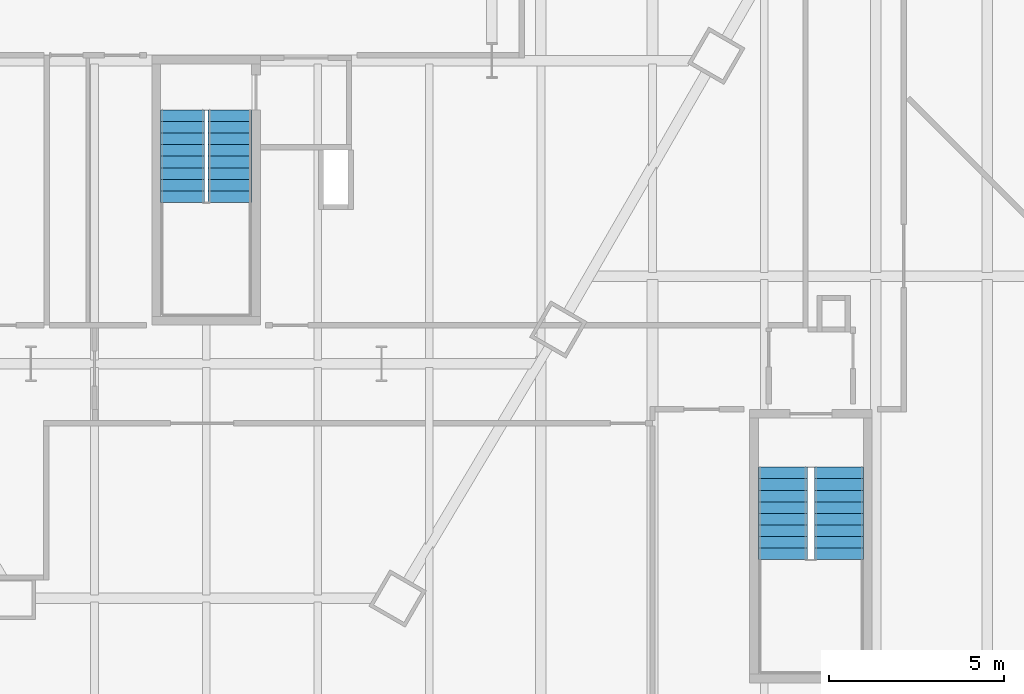
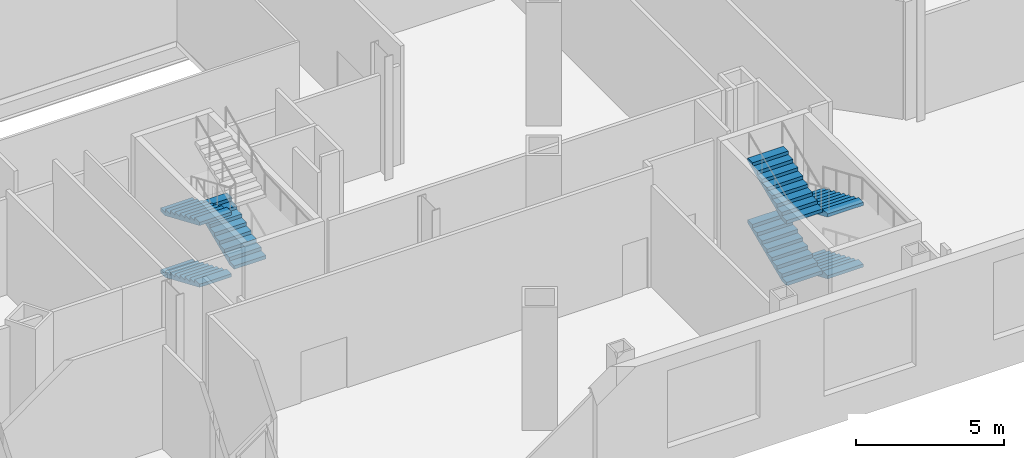
# One storey, part 17 of 21: 7 stair flights, 2 elements without a shape of their own.
"""IFC4 building model written with IfcOpenShell, lengths in metres."""

from ifc_helpers import new_model, si_unit, direction, frame, origin, place, context, subcontext, project, spatial, polygons, material, type_object, element, aggregate, save


model = new_model("IFC4")

# Units and contexts
model_context = context("Model", 3, precision=1e-05, world=origin(), true_north=direction((0.0, 1.0)))
body_context = subcontext(model_context, "Body", "Model", "MODEL_VIEW")
ifc_project = project(units=[si_unit("LENGTHUNIT", "METRE"), si_unit("AREAUNIT", "SQUARE_METRE"), si_unit("VOLUMEUNIT", "CUBIC_METRE"), si_unit("PLANEANGLEUNIT", "RADIAN"), si_unit("MASSUNIT", "GRAM", prefix="KILO")], contexts=[model_context])

# Site, building, storey
site_placement = place(None, origin())
site = spatial("IfcSite", under=ifc_project, at=site_placement, CompositionType="ELEMENT")
building_placement = place(site_placement, origin())
building = spatial("IfcBuilding", under=site, at=building_placement, Name="Njiva Tower", CompositionType="ELEMENT")
storey_placement = place(building_placement, frame((0.0, 0.0, 8.4)))
storey = spatial("IfcBuildingStorey", under=building, at=storey_placement, Name="L01", CompositionType="ELEMENT", Elevation=8.4)

# Stair, stair flights
ifc_material = material(Name="Concrete C40/50", Category="concrete")
stair_type_1 = type_object("IfcStairType", Name="ST1 Exit stair 1250", PredefinedType="HALF_TURN_STAIR", material=ifc_material)
stair_1_placement = place(storey_placement, origin())
stair_1 = element("IfcStair", 1, at=stair_1_placement, inside=storey, type_object=stair_type_1, Name="Stair C", PredefinedType="DOUBLE_RETURN_STAIR")
stair_flight_type_1 = type_object("IfcStairFlightType", Name="FL1 Stair flight 1250", PredefinedType="STRAIGHT", material=ifc_material)
stair_flight_1_placement = place(storey_placement, frame((-0.675, -15.16, 0.0), z_axis=(0.0, 0.0, 1.0), x_axis=(0.0, -1.0, 0.0)))
stair_flight_1 = element("IfcStairFlight", 2, at=stair_flight_1_placement, type_object=stair_flight_type_1, Name="ST-C flight 1", NumberOfRisers=9, NumberOfTreads=8, PredefinedType="STRAIGHT", RiserHeight=0.141666667, TreadLength=0.33, context=body_context, shape_type="Tessellation", body=[
    polygons([(0.0, 0.625, 0.0), (0.0, 0.3125, 0.0), (0.0, 0.0, 0.0), (0.0, -0.3125, 0.0), (0.0, -0.625, 0.0), (0.0, 0.625, 0.1417), (0.0, 0.3125, 0.1417), (0.0, 0.0, 0.1417), (0.0, -0.3125, 0.1417), (0.0, -0.625, 0.1417), (0.33, 0.625, 0.1417), (0.33, 0.3125, 0.1417), (0.33, 0.0, 0.1417), (0.33, -0.3125, 0.1417), (0.33, -0.625, 0.1417), (0.33, 0.625, 0.2833), (0.33, 0.3125, 0.2833), (0.33, 0.0, 0.2833), (0.33, -0.3125, 0.2833), (0.33, -0.625, 0.2833), (0.66, 0.625, 0.2833), (0.66, 0.3125, 0.2833), (0.66, 0.0, 0.2833), (0.66, -0.3125, 0.2833), (0.66, -0.625, 0.2833), (0.66, 0.625, 0.425), (0.66, 0.3125, 0.425), (0.66, 0.0, 0.425), (0.66, -0.3125, 0.425), (0.66, -0.625, 0.425), (0.99, 0.625, 0.425), (0.99, 0.3125, 0.425), (0.99, 0.0, 0.425), (0.99, -0.3125, 0.425), (0.99, -0.625, 0.425), (0.99, 0.625, 0.5667), (0.99, 0.3125, 0.5667), (0.99, 0.0, 0.5667), (0.99, -0.3125, 0.5667), (0.99, -0.625, 0.5667), (1.32, 0.625, 0.5667), (1.32, 0.3125, 0.5667), (1.32, 0.0, 0.5667), (1.32, -0.3125, 0.5667), (1.32, -0.625, 0.5667), (1.32, 0.625, 0.7083), (1.32, 0.3125, 0.7083), (1.32, 0.0, 0.7083), (1.32, -0.3125, 0.7083), (1.32, -0.625, 0.7083), (1.65, 0.625, 0.7083), (1.65, 0.3125, 0.7083), (1.65, 0.0, 0.7083), (1.65, -0.3125, 0.7083), (1.65, -0.625, 0.7083), (1.65, 0.625, 0.85), (1.65, 0.3125, 0.85), (1.65, 0.0, 0.85), (1.65, -0.3125, 0.85), (1.65, -0.625, 0.85), (1.98, 0.625, 0.85), (1.98, 0.3125, 0.85), (1.98, 0.0, 0.85), (1.98, -0.3125, 0.85), (1.98, -0.625, 0.85), (1.98, 0.625, 0.9917), (1.98, 0.3125, 0.9917), (1.98, 0.0, 0.9917), (1.98, -0.3125, 0.9917), (1.98, -0.625, 0.9917), (2.31, 0.625, 0.9917), (2.31, 0.3125, 0.9917), (2.31, 0.0, 0.9917), (2.31, -0.3125, 0.9917), (2.31, -0.625, 0.9917), (2.31, 0.625, 1.1333), (2.31, 0.3125, 1.1333), (2.31, 0.0, 1.1333), (2.31, -0.3125, 1.1333), (2.31, -0.625, 1.1333), (2.64, 0.625, 1.1333), (2.64, 0.3125, 1.1333), (2.64, 0.0, 1.1333), (2.64, -0.3125, 1.1333), (2.64, -0.625, 1.1333), (2.64, 0.625, 1.0027), (2.64, 0.3125, 1.0027), (2.64, 0.0, 1.0027), (2.64, -0.3125, 1.0027), (2.64, -0.625, 1.0027), (0.3042, 0.625, 0.0), (0.3042, 0.3125, 0.0), (0.3042, 0.0, 0.0), (0.3042, -0.3125, 0.0), (0.3042, -0.625, 0.0)], [[[1, 6, 11, 16, 21, 26, 31, 36, 41, 46, 51, 56, 61, 66, 71, 76, 81, 86, 91]], [[95, 90, 85, 80, 75, 70, 65, 60, 55, 50, 45, 40, 35, 30, 25, 20, 15, 10, 5]], [[6, 1, 2, 7]], [[7, 2, 3, 8]], [[8, 3, 4, 9]], [[9, 4, 5, 10]], [[11, 6, 7, 12]], [[12, 7, 8, 13]], [[13, 8, 9, 14]], [[14, 9, 10, 15]], [[16, 11, 12, 17]], [[17, 12, 13, 18]], [[18, 13, 14, 19]], [[19, 14, 15, 20]], [[21, 16, 17, 22]], [[22, 17, 18, 23]], [[23, 18, 19, 24]], [[24, 19, 20, 25]], [[26, 21, 22, 27]], [[27, 22, 23, 28]], [[28, 23, 24, 29]], [[29, 24, 25, 30]], [[31, 26, 27, 32]], [[32, 27, 28, 33]], [[33, 28, 29, 34]], [[34, 29, 30, 35]], [[36, 31, 32, 37]], [[37, 32, 33, 38]], [[38, 33, 34, 39]], [[39, 34, 35, 40]], [[41, 36, 37, 42]], [[42, 37, 38, 43]], [[43, 38, 39, 44]], [[44, 39, 40, 45]], [[46, 41, 42, 47]], [[47, 42, 43, 48]], [[48, 43, 44, 49]], [[49, 44, 45, 50]], [[51, 46, 47, 52]], [[52, 47, 48, 53]], [[53, 48, 49, 54]], [[54, 49, 50, 55]], [[56, 51, 52, 57]], [[57, 52, 53, 58]], [[58, 53, 54, 59]], [[59, 54, 55, 60]], [[61, 56, 57, 62]], [[62, 57, 58, 63]], [[63, 58, 59, 64]], [[64, 59, 60, 65]], [[66, 61, 62, 67]], [[67, 62, 63, 68]], [[68, 63, 64, 69]], [[69, 64, 65, 70]], [[71, 66, 67, 72]], [[72, 67, 68, 73]], [[73, 68, 69, 74]], [[74, 69, 70, 75]], [[76, 71, 72, 77]], [[77, 72, 73, 78]], [[78, 73, 74, 79]], [[79, 74, 75, 80]], [[81, 76, 77, 82]], [[82, 77, 78, 83]], [[83, 78, 79, 84]], [[84, 79, 80, 85]], [[86, 81, 82, 87]], [[87, 82, 83, 88]], [[88, 83, 84, 89]], [[89, 84, 85, 90]], [[91, 86, 87, 92]], [[92, 87, 88, 93]], [[93, 88, 89, 94]], [[94, 89, 90, 95]], [[1, 91, 92, 2]], [[2, 92, 93, 3]], [[3, 93, 94, 4]], [[4, 94, 95, 5]]], closed=True),
])
stair_flight_2_placement = place(storey_placement, frame((0.675, -17.8, 1.275), z_axis=(0.0, 0.0, 1.0), x_axis=(0.0, 1.0, 0.0)))
stair_flight_2 = element("IfcStairFlight", 3, at=stair_flight_2_placement, type_object=stair_flight_type_1, Name="ST-C flight 2", NumberOfRisers=9, NumberOfTreads=8, PredefinedType="STRAIGHT", RiserHeight=0.141666667, TreadLength=0.33, context=body_context, shape_type="Tessellation", body=[
    polygons([(0.0, 0.625, 0.0), (0.0, 0.3125, 0.0), (0.0, 0.0, 0.0), (0.0, -0.3125, 0.0), (0.0, -0.625, 0.0), (0.0, 0.625, 0.1417), (0.0, 0.3125, 0.1417), (0.0, 0.0, 0.1417), (0.0, -0.3125, 0.1417), (0.0, -0.625, 0.1417), (0.33, 0.625, 0.1417), (0.33, 0.3125, 0.1417), (0.33, 0.0, 0.1417), (0.33, -0.3125, 0.1417), (0.33, -0.625, 0.1417), (0.33, 0.625, 0.2833), (0.33, 0.3125, 0.2833), (0.33, 0.0, 0.2833), (0.33, -0.3125, 0.2833), (0.33, -0.625, 0.2833), (0.66, 0.625, 0.2833), (0.66, 0.3125, 0.2833), (0.66, 0.0, 0.2833), (0.66, -0.3125, 0.2833), (0.66, -0.625, 0.2833), (0.66, 0.625, 0.425), (0.66, 0.3125, 0.425), (0.66, 0.0, 0.425), (0.66, -0.3125, 0.425), (0.66, -0.625, 0.425), (0.99, 0.625, 0.425), (0.99, 0.3125, 0.425), (0.99, 0.0, 0.425), (0.99, -0.3125, 0.425), (0.99, -0.625, 0.425), (0.99, 0.625, 0.5667), (0.99, 0.3125, 0.5667), (0.99, 0.0, 0.5667), (0.99, -0.3125, 0.5667), (0.99, -0.625, 0.5667), (1.32, 0.625, 0.5667), (1.32, 0.3125, 0.5667), (1.32, 0.0, 0.5667), (1.32, -0.3125, 0.5667), (1.32, -0.625, 0.5667), (1.32, 0.625, 0.7083), (1.32, 0.3125, 0.7083), (1.32, 0.0, 0.7083), (1.32, -0.3125, 0.7083), (1.32, -0.625, 0.7083), (1.65, 0.625, 0.7083), (1.65, 0.3125, 0.7083), (1.65, 0.0, 0.7083), (1.65, -0.3125, 0.7083), (1.65, -0.625, 0.7083), (1.65, 0.625, 0.85), (1.65, 0.3125, 0.85), (1.65, 0.0, 0.85), (1.65, -0.3125, 0.85), (1.65, -0.625, 0.85), (1.98, 0.625, 0.85), (1.98, 0.3125, 0.85), (1.98, 0.0, 0.85), (1.98, -0.3125, 0.85), (1.98, -0.625, 0.85), (1.98, 0.625, 0.9917), (1.98, 0.3125, 0.9917), (1.98, 0.0, 0.9917), (1.98, -0.3125, 0.9917), (1.98, -0.625, 0.9917), (2.31, 0.625, 0.9917), (2.31, 0.3125, 0.9917), (2.31, 0.0, 0.9917), (2.31, -0.3125, 0.9917), (2.31, -0.625, 0.9917), (2.31, 0.625, 1.1333), (2.31, 0.3125, 1.1333), (2.31, 0.0, 1.1333), (2.31, -0.3125, 1.1333), (2.31, -0.625, 1.1333), (2.64, 0.625, 1.1333), (2.64, 0.3125, 1.1333), (2.64, 0.0, 1.1333), (2.64, -0.3125, 1.1333), (2.64, -0.625, 1.1333), (2.64, 0.625, 1.0027), (2.64, 0.3125, 1.0027), (2.64, 0.0, 1.0027), (2.64, -0.3125, 1.0027), (2.64, -0.625, 1.0027), (0.3042, 0.625, 0.0), (0.3042, 0.3125, 0.0), (0.3042, 0.0, 0.0), (0.3042, -0.3125, 0.0), (0.3042, -0.625, 0.0)], [[[1, 6, 11, 16, 21, 26, 31, 36, 41, 46, 51, 56, 61, 66, 71, 76, 81, 86, 91]], [[95, 90, 85, 80, 75, 70, 65, 60, 55, 50, 45, 40, 35, 30, 25, 20, 15, 10, 5]], [[6, 1, 2, 7]], [[7, 2, 3, 8]], [[8, 3, 4, 9]], [[9, 4, 5, 10]], [[11, 6, 7, 12]], [[12, 7, 8, 13]], [[13, 8, 9, 14]], [[14, 9, 10, 15]], [[16, 11, 12, 17]], [[17, 12, 13, 18]], [[18, 13, 14, 19]], [[19, 14, 15, 20]], [[21, 16, 17, 22]], [[22, 17, 18, 23]], [[23, 18, 19, 24]], [[24, 19, 20, 25]], [[26, 21, 22, 27]], [[27, 22, 23, 28]], [[28, 23, 24, 29]], [[29, 24, 25, 30]], [[31, 26, 27, 32]], [[32, 27, 28, 33]], [[33, 28, 29, 34]], [[34, 29, 30, 35]], [[36, 31, 32, 37]], [[37, 32, 33, 38]], [[38, 33, 34, 39]], [[39, 34, 35, 40]], [[41, 36, 37, 42]], [[42, 37, 38, 43]], [[43, 38, 39, 44]], [[44, 39, 40, 45]], [[46, 41, 42, 47]], [[47, 42, 43, 48]], [[48, 43, 44, 49]], [[49, 44, 45, 50]], [[51, 46, 47, 52]], [[52, 47, 48, 53]], [[53, 48, 49, 54]], [[54, 49, 50, 55]], [[56, 51, 52, 57]], [[57, 52, 53, 58]], [[58, 53, 54, 59]], [[59, 54, 55, 60]], [[61, 56, 57, 62]], [[62, 57, 58, 63]], [[63, 58, 59, 64]], [[64, 59, 60, 65]], [[66, 61, 62, 67]], [[67, 62, 63, 68]], [[68, 63, 64, 69]], [[69, 64, 65, 70]], [[71, 66, 67, 72]], [[72, 67, 68, 73]], [[73, 68, 69, 74]], [[74, 69, 70, 75]], [[76, 71, 72, 77]], [[77, 72, 73, 78]], [[78, 73, 74, 79]], [[79, 74, 75, 80]], [[81, 76, 77, 82]], [[82, 77, 78, 83]], [[83, 78, 79, 84]], [[84, 79, 80, 85]], [[86, 81, 82, 87]], [[87, 82, 83, 88]], [[88, 83, 84, 89]], [[89, 84, 85, 90]], [[91, 86, 87, 92]], [[92, 87, 88, 93]], [[93, 88, 89, 94]], [[94, 89, 90, 95]], [[1, 91, 92, 2]], [[2, 92, 93, 3]], [[3, 93, 94, 4]], [[4, 94, 95, 5]]], closed=True),
])
stair_flight_3_placement = place(storey_placement, frame((-0.675, -15.16, 2.55), z_axis=(0.0, 0.0, 1.0), x_axis=(0.0, -1.0, 0.0)))
stair_flight_3 = element("IfcStairFlight", 4, at=stair_flight_3_placement, type_object=stair_flight_type_1, Name="ST-C flight 3", NumberOfRisers=9, NumberOfTreads=8, PredefinedType="STRAIGHT", RiserHeight=0.141666667, TreadLength=0.33, context=body_context, shape_type="Tessellation", body=[
    polygons([(0.0, 0.625, 0.0), (0.0, 0.3125, 0.0), (0.0, 0.0, 0.0), (0.0, -0.3125, 0.0), (0.0, -0.625, 0.0), (0.0, 0.625, 0.1417), (0.0, 0.3125, 0.1417), (0.0, 0.0, 0.1417), (0.0, -0.3125, 0.1417), (0.0, -0.625, 0.1417), (0.33, 0.625, 0.1417), (0.33, 0.3125, 0.1417), (0.33, 0.0, 0.1417), (0.33, -0.3125, 0.1417), (0.33, -0.625, 0.1417), (0.33, 0.625, 0.2833), (0.33, 0.3125, 0.2833), (0.33, 0.0, 0.2833), (0.33, -0.3125, 0.2833), (0.33, -0.625, 0.2833), (0.66, 0.625, 0.2833), (0.66, 0.3125, 0.2833), (0.66, 0.0, 0.2833), (0.66, -0.3125, 0.2833), (0.66, -0.625, 0.2833), (0.66, 0.625, 0.425), (0.66, 0.3125, 0.425), (0.66, 0.0, 0.425), (0.66, -0.3125, 0.425), (0.66, -0.625, 0.425), (0.99, 0.625, 0.425), (0.99, 0.3125, 0.425), (0.99, 0.0, 0.425), (0.99, -0.3125, 0.425), (0.99, -0.625, 0.425), (0.99, 0.625, 0.5667), (0.99, 0.3125, 0.5667), (0.99, 0.0, 0.5667), (0.99, -0.3125, 0.5667), (0.99, -0.625, 0.5667), (1.32, 0.625, 0.5667), (1.32, 0.3125, 0.5667), (1.32, 0.0, 0.5667), (1.32, -0.3125, 0.5667), (1.32, -0.625, 0.5667), (1.32, 0.625, 0.7083), (1.32, 0.3125, 0.7083), (1.32, 0.0, 0.7083), (1.32, -0.3125, 0.7083), (1.32, -0.625, 0.7083), (1.65, 0.625, 0.7083), (1.65, 0.3125, 0.7083), (1.65, 0.0, 0.7083), (1.65, -0.3125, 0.7083), (1.65, -0.625, 0.7083), (1.65, 0.625, 0.85), (1.65, 0.3125, 0.85), (1.65, 0.0, 0.85), (1.65, -0.3125, 0.85), (1.65, -0.625, 0.85), (1.98, 0.625, 0.85), (1.98, 0.3125, 0.85), (1.98, 0.0, 0.85), (1.98, -0.3125, 0.85), (1.98, -0.625, 0.85), (1.98, 0.625, 0.9917), (1.98, 0.3125, 0.9917), (1.98, 0.0, 0.9917), (1.98, -0.3125, 0.9917), (1.98, -0.625, 0.9917), (2.31, 0.625, 0.9917), (2.31, 0.3125, 0.9917), (2.31, 0.0, 0.9917), (2.31, -0.3125, 0.9917), (2.31, -0.625, 0.9917), (2.31, 0.625, 1.1333), (2.31, 0.3125, 1.1333), (2.31, 0.0, 1.1333), (2.31, -0.3125, 1.1333), (2.31, -0.625, 1.1333), (2.64, 0.625, 1.1333), (2.64, 0.3125, 1.1333), (2.64, 0.0, 1.1333), (2.64, -0.3125, 1.1333), (2.64, -0.625, 1.1333), (2.64, 0.625, 1.0027), (2.64, 0.3125, 1.0027), (2.64, 0.0, 1.0027), (2.64, -0.3125, 1.0027), (2.64, -0.625, 1.0027), (0.3042, 0.625, 0.0), (0.3042, 0.3125, 0.0), (0.3042, 0.0, 0.0), (0.3042, -0.3125, 0.0), (0.3042, -0.625, 0.0)], [[[1, 6, 11, 16, 21, 26, 31, 36, 41, 46, 51, 56, 61, 66, 71, 76, 81, 86, 91]], [[95, 90, 85, 80, 75, 70, 65, 60, 55, 50, 45, 40, 35, 30, 25, 20, 15, 10, 5]], [[6, 1, 2, 7]], [[7, 2, 3, 8]], [[8, 3, 4, 9]], [[9, 4, 5, 10]], [[11, 6, 7, 12]], [[12, 7, 8, 13]], [[13, 8, 9, 14]], [[14, 9, 10, 15]], [[16, 11, 12, 17]], [[17, 12, 13, 18]], [[18, 13, 14, 19]], [[19, 14, 15, 20]], [[21, 16, 17, 22]], [[22, 17, 18, 23]], [[23, 18, 19, 24]], [[24, 19, 20, 25]], [[26, 21, 22, 27]], [[27, 22, 23, 28]], [[28, 23, 24, 29]], [[29, 24, 25, 30]], [[31, 26, 27, 32]], [[32, 27, 28, 33]], [[33, 28, 29, 34]], [[34, 29, 30, 35]], [[36, 31, 32, 37]], [[37, 32, 33, 38]], [[38, 33, 34, 39]], [[39, 34, 35, 40]], [[41, 36, 37, 42]], [[42, 37, 38, 43]], [[43, 38, 39, 44]], [[44, 39, 40, 45]], [[46, 41, 42, 47]], [[47, 42, 43, 48]], [[48, 43, 44, 49]], [[49, 44, 45, 50]], [[51, 46, 47, 52]], [[52, 47, 48, 53]], [[53, 48, 49, 54]], [[54, 49, 50, 55]], [[56, 51, 52, 57]], [[57, 52, 53, 58]], [[58, 53, 54, 59]], [[59, 54, 55, 60]], [[61, 56, 57, 62]], [[62, 57, 58, 63]], [[63, 58, 59, 64]], [[64, 59, 60, 65]], [[66, 61, 62, 67]], [[67, 62, 63, 68]], [[68, 63, 64, 69]], [[69, 64, 65, 70]], [[71, 66, 67, 72]], [[72, 67, 68, 73]], [[73, 68, 69, 74]], [[74, 69, 70, 75]], [[76, 71, 72, 77]], [[77, 72, 73, 78]], [[78, 73, 74, 79]], [[79, 74, 75, 80]], [[81, 76, 77, 82]], [[82, 77, 78, 83]], [[83, 78, 79, 84]], [[84, 79, 80, 85]], [[86, 81, 82, 87]], [[87, 82, 83, 88]], [[88, 83, 84, 89]], [[89, 84, 85, 90]], [[91, 86, 87, 92]], [[92, 87, 88, 93]], [[93, 88, 89, 94]], [[94, 89, 90, 95]], [[1, 91, 92, 2]], [[2, 92, 93, 3]], [[3, 93, 94, 4]], [[4, 94, 95, 5]]], closed=True),
])
aggregate(stair_1, [stair_flight_1, stair_flight_2, stair_flight_3])

stair_type_2 = type_object("IfcStairType", Name="ST2 Exit stair 1400", PredefinedType="HALF_TURN_STAIR", material=ifc_material)
stair_2_placement = place(storey_placement, origin())
stair_2 = element("IfcStair", 5, at=stair_2_placement, inside=storey, type_object=stair_type_2, Name="Stair E", PredefinedType="DOUBLE_RETURN_STAIR")
stair_flight_type_2 = type_object("IfcStairFlightType", Name="FL2 Stair flight 1400", PredefinedType="STRAIGHT", material=ifc_material)
stair_flight_4_placement = place(storey_placement, frame((18.05, -25.35, 0.0), z_axis=(0.0, 0.0, 1.0), x_axis=(0.0, -1.0, 0.0)))
stair_flight_4 = element("IfcStairFlight", 6, at=stair_flight_4_placement, type_object=stair_flight_type_2, Name="ST-E flight 1", NumberOfRisers=9, NumberOfTreads=8, PredefinedType="STRAIGHT", RiserHeight=0.141666667, TreadLength=0.33, context=body_context, shape_type="Tessellation", body=[
    polygons([(0.0, 0.7, 0.0), (0.0, 0.35, 0.0), (0.0, 0.0, 0.0), (0.0, -0.35, 0.0), (0.0, -0.7, 0.0), (0.0, 0.7, 0.1417), (0.0, 0.35, 0.1417), (0.0, 0.0, 0.1417), (0.0, -0.35, 0.1417), (0.0, -0.7, 0.1417), (0.33, 0.7, 0.1417), (0.33, 0.35, 0.1417), (0.33, 0.0, 0.1417), (0.33, -0.35, 0.1417), (0.33, -0.7, 0.1417), (0.33, 0.7, 0.2833), (0.33, 0.35, 0.2833), (0.33, 0.0, 0.2833), (0.33, -0.35, 0.2833), (0.33, -0.7, 0.2833), (0.66, 0.7, 0.2833), (0.66, 0.35, 0.2833), (0.66, 0.0, 0.2833), (0.66, -0.35, 0.2833), (0.66, -0.7, 0.2833), (0.66, 0.7, 0.425), (0.66, 0.35, 0.425), (0.66, 0.0, 0.425), (0.66, -0.35, 0.425), (0.66, -0.7, 0.425), (0.99, 0.7, 0.425), (0.99, 0.35, 0.425), (0.99, 0.0, 0.425), (0.99, -0.35, 0.425), (0.99, -0.7, 0.425), (0.99, 0.7, 0.5667), (0.99, 0.35, 0.5667), (0.99, 0.0, 0.5667), (0.99, -0.35, 0.5667), (0.99, -0.7, 0.5667), (1.32, 0.7, 0.5667), (1.32, 0.35, 0.5667), (1.32, 0.0, 0.5667), (1.32, -0.35, 0.5667), (1.32, -0.7, 0.5667), (1.32, 0.7, 0.7083), (1.32, 0.35, 0.7083), (1.32, 0.0, 0.7083), (1.32, -0.35, 0.7083), (1.32, -0.7, 0.7083), (1.65, 0.7, 0.7083), (1.65, 0.35, 0.7083), (1.65, 0.0, 0.7083), (1.65, -0.35, 0.7083), (1.65, -0.7, 0.7083), (1.65, 0.7, 0.85), (1.65, 0.35, 0.85), (1.65, 0.0, 0.85), (1.65, -0.35, 0.85), (1.65, -0.7, 0.85), (1.98, 0.7, 0.85), (1.98, 0.35, 0.85), (1.98, 0.0, 0.85), (1.98, -0.35, 0.85), (1.98, -0.7, 0.85), (1.98, 0.7, 0.9917), (1.98, 0.35, 0.9917), (1.98, 0.0, 0.9917), (1.98, -0.35, 0.9917), (1.98, -0.7, 0.9917), (2.31, 0.7, 0.9917), (2.31, 0.35, 0.9917), (2.31, 0.0, 0.9917), (2.31, -0.35, 0.9917), (2.31, -0.7, 0.9917), (2.31, 0.7, 1.1333), (2.31, 0.35, 1.1333), (2.31, 0.0, 1.1333), (2.31, -0.35, 1.1333), (2.31, -0.7, 1.1333), (2.64, 0.7, 1.1333), (2.64, 0.35, 1.1333), (2.64, 0.0, 1.1333), (2.64, -0.35, 1.1333), (2.64, -0.7, 1.1333), (2.64, 0.7, 1.0027), (2.64, 0.35, 1.0027), (2.64, 0.0, 1.0027), (2.64, -0.35, 1.0027), (2.64, -0.7, 1.0027), (0.3042, 0.7, 0.0), (0.3042, 0.35, 0.0), (0.3042, 0.0, 0.0), (0.3042, -0.35, 0.0), (0.3042, -0.7, 0.0)], [[[1, 6, 11, 16, 21, 26, 31, 36, 41, 46, 51, 56, 61, 66, 71, 76, 81, 86, 91]], [[95, 90, 85, 80, 75, 70, 65, 60, 55, 50, 45, 40, 35, 30, 25, 20, 15, 10, 5]], [[6, 1, 2, 7]], [[7, 2, 3, 8]], [[8, 3, 4, 9]], [[9, 4, 5, 10]], [[11, 6, 7, 12]], [[12, 7, 8, 13]], [[13, 8, 9, 14]], [[14, 9, 10, 15]], [[16, 11, 12, 17]], [[17, 12, 13, 18]], [[18, 13, 14, 19]], [[19, 14, 15, 20]], [[21, 16, 17, 22]], [[22, 17, 18, 23]], [[23, 18, 19, 24]], [[24, 19, 20, 25]], [[26, 21, 22, 27]], [[27, 22, 23, 28]], [[28, 23, 24, 29]], [[29, 24, 25, 30]], [[31, 26, 27, 32]], [[32, 27, 28, 33]], [[33, 28, 29, 34]], [[34, 29, 30, 35]], [[36, 31, 32, 37]], [[37, 32, 33, 38]], [[38, 33, 34, 39]], [[39, 34, 35, 40]], [[41, 36, 37, 42]], [[42, 37, 38, 43]], [[43, 38, 39, 44]], [[44, 39, 40, 45]], [[46, 41, 42, 47]], [[47, 42, 43, 48]], [[48, 43, 44, 49]], [[49, 44, 45, 50]], [[51, 46, 47, 52]], [[52, 47, 48, 53]], [[53, 48, 49, 54]], [[54, 49, 50, 55]], [[56, 51, 52, 57]], [[57, 52, 53, 58]], [[58, 53, 54, 59]], [[59, 54, 55, 60]], [[61, 56, 57, 62]], [[62, 57, 58, 63]], [[63, 58, 59, 64]], [[64, 59, 60, 65]], [[66, 61, 62, 67]], [[67, 62, 63, 68]], [[68, 63, 64, 69]], [[69, 64, 65, 70]], [[71, 66, 67, 72]], [[72, 67, 68, 73]], [[73, 68, 69, 74]], [[74, 69, 70, 75]], [[76, 71, 72, 77]], [[77, 72, 73, 78]], [[78, 73, 74, 79]], [[79, 74, 75, 80]], [[81, 76, 77, 82]], [[82, 77, 78, 83]], [[83, 78, 79, 84]], [[84, 79, 80, 85]], [[86, 81, 82, 87]], [[87, 82, 83, 88]], [[88, 83, 84, 89]], [[89, 84, 85, 90]], [[91, 86, 87, 92]], [[92, 87, 88, 93]], [[93, 88, 89, 94]], [[94, 89, 90, 95]], [[1, 91, 92, 2]], [[2, 92, 93, 3]], [[3, 93, 94, 4]], [[4, 94, 95, 5]]], closed=True),
])
stair_flight_5_placement = place(storey_placement, frame((16.45, -27.99, 1.275), z_axis=(0.0, 0.0, 1.0), x_axis=(0.0, 1.0, 0.0)))
stair_flight_5 = element("IfcStairFlight", 7, at=stair_flight_5_placement, type_object=stair_flight_type_2, Name="ST-E flight 2", NumberOfRisers=9, NumberOfTreads=8, PredefinedType="STRAIGHT", RiserHeight=0.141666667, TreadLength=0.33, context=body_context, shape_type="Tessellation", body=[
    polygons([(0.0, 0.7, 0.0), (0.0, 0.35, 0.0), (0.0, 0.0, 0.0), (0.0, -0.35, 0.0), (0.0, -0.7, 0.0), (0.0, 0.7, 0.1417), (0.0, 0.35, 0.1417), (0.0, 0.0, 0.1417), (0.0, -0.35, 0.1417), (0.0, -0.7, 0.1417), (0.33, 0.7, 0.1417), (0.33, 0.35, 0.1417), (0.33, 0.0, 0.1417), (0.33, -0.35, 0.1417), (0.33, -0.7, 0.1417), (0.33, 0.7, 0.2833), (0.33, 0.35, 0.2833), (0.33, 0.0, 0.2833), (0.33, -0.35, 0.2833), (0.33, -0.7, 0.2833), (0.66, 0.7, 0.2833), (0.66, 0.35, 0.2833), (0.66, 0.0, 0.2833), (0.66, -0.35, 0.2833), (0.66, -0.7, 0.2833), (0.66, 0.7, 0.425), (0.66, 0.35, 0.425), (0.66, 0.0, 0.425), (0.66, -0.35, 0.425), (0.66, -0.7, 0.425), (0.99, 0.7, 0.425), (0.99, 0.35, 0.425), (0.99, 0.0, 0.425), (0.99, -0.35, 0.425), (0.99, -0.7, 0.425), (0.99, 0.7, 0.5667), (0.99, 0.35, 0.5667), (0.99, 0.0, 0.5667), (0.99, -0.35, 0.5667), (0.99, -0.7, 0.5667), (1.32, 0.7, 0.5667), (1.32, 0.35, 0.5667), (1.32, 0.0, 0.5667), (1.32, -0.35, 0.5667), (1.32, -0.7, 0.5667), (1.32, 0.7, 0.7083), (1.32, 0.35, 0.7083), (1.32, 0.0, 0.7083), (1.32, -0.35, 0.7083), (1.32, -0.7, 0.7083), (1.65, 0.7, 0.7083), (1.65, 0.35, 0.7083), (1.65, 0.0, 0.7083), (1.65, -0.35, 0.7083), (1.65, -0.7, 0.7083), (1.65, 0.7, 0.85), (1.65, 0.35, 0.85), (1.65, 0.0, 0.85), (1.65, -0.35, 0.85), (1.65, -0.7, 0.85), (1.98, 0.7, 0.85), (1.98, 0.35, 0.85), (1.98, 0.0, 0.85), (1.98, -0.35, 0.85), (1.98, -0.7, 0.85), (1.98, 0.7, 0.9917), (1.98, 0.35, 0.9917), (1.98, 0.0, 0.9917), (1.98, -0.35, 0.9917), (1.98, -0.7, 0.9917), (2.31, 0.7, 0.9917), (2.31, 0.35, 0.9917), (2.31, 0.0, 0.9917), (2.31, -0.35, 0.9917), (2.31, -0.7, 0.9917), (2.31, 0.7, 1.1333), (2.31, 0.35, 1.1333), (2.31, 0.0, 1.1333), (2.31, -0.35, 1.1333), (2.31, -0.7, 1.1333), (2.64, 0.7, 1.1333), (2.64, 0.35, 1.1333), (2.64, 0.0, 1.1333), (2.64, -0.35, 1.1333), (2.64, -0.7, 1.1333), (2.64, 0.7, 1.0027), (2.64, 0.35, 1.0027), (2.64, 0.0, 1.0027), (2.64, -0.35, 1.0027), (2.64, -0.7, 1.0027), (0.3042, 0.7, 0.0), (0.3042, 0.35, 0.0), (0.3042, 0.0, 0.0), (0.3042, -0.35, 0.0), (0.3042, -0.7, 0.0)], [[[1, 6, 11, 16, 21, 26, 31, 36, 41, 46, 51, 56, 61, 66, 71, 76, 81, 86, 91]], [[95, 90, 85, 80, 75, 70, 65, 60, 55, 50, 45, 40, 35, 30, 25, 20, 15, 10, 5]], [[6, 1, 2, 7]], [[7, 2, 3, 8]], [[8, 3, 4, 9]], [[9, 4, 5, 10]], [[11, 6, 7, 12]], [[12, 7, 8, 13]], [[13, 8, 9, 14]], [[14, 9, 10, 15]], [[16, 11, 12, 17]], [[17, 12, 13, 18]], [[18, 13, 14, 19]], [[19, 14, 15, 20]], [[21, 16, 17, 22]], [[22, 17, 18, 23]], [[23, 18, 19, 24]], [[24, 19, 20, 25]], [[26, 21, 22, 27]], [[27, 22, 23, 28]], [[28, 23, 24, 29]], [[29, 24, 25, 30]], [[31, 26, 27, 32]], [[32, 27, 28, 33]], [[33, 28, 29, 34]], [[34, 29, 30, 35]], [[36, 31, 32, 37]], [[37, 32, 33, 38]], [[38, 33, 34, 39]], [[39, 34, 35, 40]], [[41, 36, 37, 42]], [[42, 37, 38, 43]], [[43, 38, 39, 44]], [[44, 39, 40, 45]], [[46, 41, 42, 47]], [[47, 42, 43, 48]], [[48, 43, 44, 49]], [[49, 44, 45, 50]], [[51, 46, 47, 52]], [[52, 47, 48, 53]], [[53, 48, 49, 54]], [[54, 49, 50, 55]], [[56, 51, 52, 57]], [[57, 52, 53, 58]], [[58, 53, 54, 59]], [[59, 54, 55, 60]], [[61, 56, 57, 62]], [[62, 57, 58, 63]], [[63, 58, 59, 64]], [[64, 59, 60, 65]], [[66, 61, 62, 67]], [[67, 62, 63, 68]], [[68, 63, 64, 69]], [[69, 64, 65, 70]], [[71, 66, 67, 72]], [[72, 67, 68, 73]], [[73, 68, 69, 74]], [[74, 69, 70, 75]], [[76, 71, 72, 77]], [[77, 72, 73, 78]], [[78, 73, 74, 79]], [[79, 74, 75, 80]], [[81, 76, 77, 82]], [[82, 77, 78, 83]], [[83, 78, 79, 84]], [[84, 79, 80, 85]], [[86, 81, 82, 87]], [[87, 82, 83, 88]], [[88, 83, 84, 89]], [[89, 84, 85, 90]], [[91, 86, 87, 92]], [[92, 87, 88, 93]], [[93, 88, 89, 94]], [[94, 89, 90, 95]], [[1, 91, 92, 2]], [[2, 92, 93, 3]], [[3, 93, 94, 4]], [[4, 94, 95, 5]]], closed=True),
])
stair_flight_6_placement = place(storey_placement, frame((18.05, -25.35, 2.55), z_axis=(0.0, 0.0, 1.0), x_axis=(0.0, -1.0, 0.0)))
stair_flight_6 = element("IfcStairFlight", 8, at=stair_flight_6_placement, type_object=stair_flight_type_2, Name="ST-E flight 3", NumberOfRisers=9, NumberOfTreads=8, PredefinedType="STRAIGHT", RiserHeight=0.141666667, TreadLength=0.33, context=body_context, shape_type="Tessellation", body=[
    polygons([(0.0, 0.7, 0.0), (0.0, 0.35, 0.0), (0.0, 0.0, 0.0), (0.0, -0.35, 0.0), (0.0, -0.7, 0.0), (0.0, 0.7, 0.1417), (0.0, 0.35, 0.1417), (0.0, 0.0, 0.1417), (0.0, -0.35, 0.1417), (0.0, -0.7, 0.1417), (0.33, 0.7, 0.1417), (0.33, 0.35, 0.1417), (0.33, 0.0, 0.1417), (0.33, -0.35, 0.1417), (0.33, -0.7, 0.1417), (0.33, 0.7, 0.2833), (0.33, 0.35, 0.2833), (0.33, 0.0, 0.2833), (0.33, -0.35, 0.2833), (0.33, -0.7, 0.2833), (0.66, 0.7, 0.2833), (0.66, 0.35, 0.2833), (0.66, 0.0, 0.2833), (0.66, -0.35, 0.2833), (0.66, -0.7, 0.2833), (0.66, 0.7, 0.425), (0.66, 0.35, 0.425), (0.66, 0.0, 0.425), (0.66, -0.35, 0.425), (0.66, -0.7, 0.425), (0.99, 0.7, 0.425), (0.99, 0.35, 0.425), (0.99, 0.0, 0.425), (0.99, -0.35, 0.425), (0.99, -0.7, 0.425), (0.99, 0.7, 0.5667), (0.99, 0.35, 0.5667), (0.99, 0.0, 0.5667), (0.99, -0.35, 0.5667), (0.99, -0.7, 0.5667), (1.32, 0.7, 0.5667), (1.32, 0.35, 0.5667), (1.32, 0.0, 0.5667), (1.32, -0.35, 0.5667), (1.32, -0.7, 0.5667), (1.32, 0.7, 0.7083), (1.32, 0.35, 0.7083), (1.32, 0.0, 0.7083), (1.32, -0.35, 0.7083), (1.32, -0.7, 0.7083), (1.65, 0.7, 0.7083), (1.65, 0.35, 0.7083), (1.65, 0.0, 0.7083), (1.65, -0.35, 0.7083), (1.65, -0.7, 0.7083), (1.65, 0.7, 0.85), (1.65, 0.35, 0.85), (1.65, 0.0, 0.85), (1.65, -0.35, 0.85), (1.65, -0.7, 0.85), (1.98, 0.7, 0.85), (1.98, 0.35, 0.85), (1.98, 0.0, 0.85), (1.98, -0.35, 0.85), (1.98, -0.7, 0.85), (1.98, 0.7, 0.9917), (1.98, 0.35, 0.9917), (1.98, 0.0, 0.9917), (1.98, -0.35, 0.9917), (1.98, -0.7, 0.9917), (2.31, 0.7, 0.9917), (2.31, 0.35, 0.9917), (2.31, 0.0, 0.9917), (2.31, -0.35, 0.9917), (2.31, -0.7, 0.9917), (2.31, 0.7, 1.1333), (2.31, 0.35, 1.1333), (2.31, 0.0, 1.1333), (2.31, -0.35, 1.1333), (2.31, -0.7, 1.1333), (2.64, 0.7, 1.1333), (2.64, 0.35, 1.1333), (2.64, 0.0, 1.1333), (2.64, -0.35, 1.1333), (2.64, -0.7, 1.1333), (2.64, 0.7, 1.0027), (2.64, 0.35, 1.0027), (2.64, 0.0, 1.0027), (2.64, -0.35, 1.0027), (2.64, -0.7, 1.0027), (0.3042, 0.7, 0.0), (0.3042, 0.35, 0.0), (0.3042, 0.0, 0.0), (0.3042, -0.35, 0.0), (0.3042, -0.7, 0.0)], [[[1, 6, 11, 16, 21, 26, 31, 36, 41, 46, 51, 56, 61, 66, 71, 76, 81, 86, 91]], [[95, 90, 85, 80, 75, 70, 65, 60, 55, 50, 45, 40, 35, 30, 25, 20, 15, 10, 5]], [[6, 1, 2, 7]], [[7, 2, 3, 8]], [[8, 3, 4, 9]], [[9, 4, 5, 10]], [[11, 6, 7, 12]], [[12, 7, 8, 13]], [[13, 8, 9, 14]], [[14, 9, 10, 15]], [[16, 11, 12, 17]], [[17, 12, 13, 18]], [[18, 13, 14, 19]], [[19, 14, 15, 20]], [[21, 16, 17, 22]], [[22, 17, 18, 23]], [[23, 18, 19, 24]], [[24, 19, 20, 25]], [[26, 21, 22, 27]], [[27, 22, 23, 28]], [[28, 23, 24, 29]], [[29, 24, 25, 30]], [[31, 26, 27, 32]], [[32, 27, 28, 33]], [[33, 28, 29, 34]], [[34, 29, 30, 35]], [[36, 31, 32, 37]], [[37, 32, 33, 38]], [[38, 33, 34, 39]], [[39, 34, 35, 40]], [[41, 36, 37, 42]], [[42, 37, 38, 43]], [[43, 38, 39, 44]], [[44, 39, 40, 45]], [[46, 41, 42, 47]], [[47, 42, 43, 48]], [[48, 43, 44, 49]], [[49, 44, 45, 50]], [[51, 46, 47, 52]], [[52, 47, 48, 53]], [[53, 48, 49, 54]], [[54, 49, 50, 55]], [[56, 51, 52, 57]], [[57, 52, 53, 58]], [[58, 53, 54, 59]], [[59, 54, 55, 60]], [[61, 56, 57, 62]], [[62, 57, 58, 63]], [[63, 58, 59, 64]], [[64, 59, 60, 65]], [[66, 61, 62, 67]], [[67, 62, 63, 68]], [[68, 63, 64, 69]], [[69, 64, 65, 70]], [[71, 66, 67, 72]], [[72, 67, 68, 73]], [[73, 68, 69, 74]], [[74, 69, 70, 75]], [[76, 71, 72, 77]], [[77, 72, 73, 78]], [[78, 73, 74, 79]], [[79, 74, 75, 80]], [[81, 76, 77, 82]], [[82, 77, 78, 83]], [[83, 78, 79, 84]], [[84, 79, 80, 85]], [[86, 81, 82, 87]], [[87, 82, 83, 88]], [[88, 83, 84, 89]], [[89, 84, 85, 90]], [[91, 86, 87, 92]], [[92, 87, 88, 93]], [[93, 88, 89, 94]], [[94, 89, 90, 95]], [[1, 91, 92, 2]], [[2, 92, 93, 3]], [[3, 93, 94, 4]], [[4, 94, 95, 5]]], closed=True),
])
stair_flight_7_placement = place(storey_placement, frame((16.45, -27.99, 3.825), z_axis=(0.0, 0.0, 1.0), x_axis=(0.0, 1.0, 0.0)))
stair_flight_7 = element("IfcStairFlight", 9, at=stair_flight_7_placement, type_object=stair_flight_type_2, Name="ST-E flight 4", NumberOfRisers=9, NumberOfTreads=8, PredefinedType="STRAIGHT", RiserHeight=0.141666667, TreadLength=0.33, context=body_context, shape_type="Tessellation", body=[
    polygons([(0.0, 0.7, 0.0), (0.0, 0.35, 0.0), (0.0, 0.0, 0.0), (0.0, -0.35, 0.0), (0.0, -0.7, 0.0), (0.0, 0.7, 0.1417), (0.0, 0.35, 0.1417), (0.0, 0.0, 0.1417), (0.0, -0.35, 0.1417), (0.0, -0.7, 0.1417), (0.33, 0.7, 0.1417), (0.33, 0.35, 0.1417), (0.33, 0.0, 0.1417), (0.33, -0.35, 0.1417), (0.33, -0.7, 0.1417), (0.33, 0.7, 0.2833), (0.33, 0.35, 0.2833), (0.33, 0.0, 0.2833), (0.33, -0.35, 0.2833), (0.33, -0.7, 0.2833), (0.66, 0.7, 0.2833), (0.66, 0.35, 0.2833), (0.66, 0.0, 0.2833), (0.66, -0.35, 0.2833), (0.66, -0.7, 0.2833), (0.66, 0.7, 0.425), (0.66, 0.35, 0.425), (0.66, 0.0, 0.425), (0.66, -0.35, 0.425), (0.66, -0.7, 0.425), (0.99, 0.7, 0.425), (0.99, 0.35, 0.425), (0.99, 0.0, 0.425), (0.99, -0.35, 0.425), (0.99, -0.7, 0.425), (0.99, 0.7, 0.5667), (0.99, 0.35, 0.5667), (0.99, 0.0, 0.5667), (0.99, -0.35, 0.5667), (0.99, -0.7, 0.5667), (1.32, 0.7, 0.5667), (1.32, 0.35, 0.5667), (1.32, 0.0, 0.5667), (1.32, -0.35, 0.5667), (1.32, -0.7, 0.5667), (1.32, 0.7, 0.7083), (1.32, 0.35, 0.7083), (1.32, 0.0, 0.7083), (1.32, -0.35, 0.7083), (1.32, -0.7, 0.7083), (1.65, 0.7, 0.7083), (1.65, 0.35, 0.7083), (1.65, 0.0, 0.7083), (1.65, -0.35, 0.7083), (1.65, -0.7, 0.7083), (1.65, 0.7, 0.85), (1.65, 0.35, 0.85), (1.65, 0.0, 0.85), (1.65, -0.35, 0.85), (1.65, -0.7, 0.85), (1.98, 0.7, 0.85), (1.98, 0.35, 0.85), (1.98, 0.0, 0.85), (1.98, -0.35, 0.85), (1.98, -0.7, 0.85), (1.98, 0.7, 0.9917), (1.98, 0.35, 0.9917), (1.98, 0.0, 0.9917), (1.98, -0.35, 0.9917), (1.98, -0.7, 0.9917), (2.31, 0.7, 0.9917), (2.31, 0.35, 0.9917), (2.31, 0.0, 0.9917), (2.31, -0.35, 0.9917), (2.31, -0.7, 0.9917), (2.31, 0.7, 1.1333), (2.31, 0.35, 1.1333), (2.31, 0.0, 1.1333), (2.31, -0.35, 1.1333), (2.31, -0.7, 1.1333), (2.64, 0.7, 1.1333), (2.64, 0.35, 1.1333), (2.64, 0.0, 1.1333), (2.64, -0.35, 1.1333), (2.64, -0.7, 1.1333), (2.64, 0.7, 1.0027), (2.64, 0.35, 1.0027), (2.64, 0.0, 1.0027), (2.64, -0.35, 1.0027), (2.64, -0.7, 1.0027), (0.3042, 0.7, 0.0), (0.3042, 0.35, 0.0), (0.3042, 0.0, 0.0), (0.3042, -0.35, 0.0), (0.3042, -0.7, 0.0)], [[[1, 6, 11, 16, 21, 26, 31, 36, 41, 46, 51, 56, 61, 66, 71, 76, 81, 86, 91]], [[95, 90, 85, 80, 75, 70, 65, 60, 55, 50, 45, 40, 35, 30, 25, 20, 15, 10, 5]], [[6, 1, 2, 7]], [[7, 2, 3, 8]], [[8, 3, 4, 9]], [[9, 4, 5, 10]], [[11, 6, 7, 12]], [[12, 7, 8, 13]], [[13, 8, 9, 14]], [[14, 9, 10, 15]], [[16, 11, 12, 17]], [[17, 12, 13, 18]], [[18, 13, 14, 19]], [[19, 14, 15, 20]], [[21, 16, 17, 22]], [[22, 17, 18, 23]], [[23, 18, 19, 24]], [[24, 19, 20, 25]], [[26, 21, 22, 27]], [[27, 22, 23, 28]], [[28, 23, 24, 29]], [[29, 24, 25, 30]], [[31, 26, 27, 32]], [[32, 27, 28, 33]], [[33, 28, 29, 34]], [[34, 29, 30, 35]], [[36, 31, 32, 37]], [[37, 32, 33, 38]], [[38, 33, 34, 39]], [[39, 34, 35, 40]], [[41, 36, 37, 42]], [[42, 37, 38, 43]], [[43, 38, 39, 44]], [[44, 39, 40, 45]], [[46, 41, 42, 47]], [[47, 42, 43, 48]], [[48, 43, 44, 49]], [[49, 44, 45, 50]], [[51, 46, 47, 52]], [[52, 47, 48, 53]], [[53, 48, 49, 54]], [[54, 49, 50, 55]], [[56, 51, 52, 57]], [[57, 52, 53, 58]], [[58, 53, 54, 59]], [[59, 54, 55, 60]], [[61, 56, 57, 62]], [[62, 57, 58, 63]], [[63, 58, 59, 64]], [[64, 59, 60, 65]], [[66, 61, 62, 67]], [[67, 62, 63, 68]], [[68, 63, 64, 69]], [[69, 64, 65, 70]], [[71, 66, 67, 72]], [[72, 67, 68, 73]], [[73, 68, 69, 74]], [[74, 69, 70, 75]], [[76, 71, 72, 77]], [[77, 72, 73, 78]], [[78, 73, 74, 79]], [[79, 74, 75, 80]], [[81, 76, 77, 82]], [[82, 77, 78, 83]], [[83, 78, 79, 84]], [[84, 79, 80, 85]], [[86, 81, 82, 87]], [[87, 82, 83, 88]], [[88, 83, 84, 89]], [[89, 84, 85, 90]], [[91, 86, 87, 92]], [[92, 87, 88, 93]], [[93, 88, 89, 94]], [[94, 89, 90, 95]], [[1, 91, 92, 2]], [[2, 92, 93, 3]], [[3, 93, 94, 4]], [[4, 94, 95, 5]]], closed=True),
])
aggregate(stair_2, [stair_flight_4, stair_flight_5, stair_flight_6, stair_flight_7])

save(model, "model.ifc")
